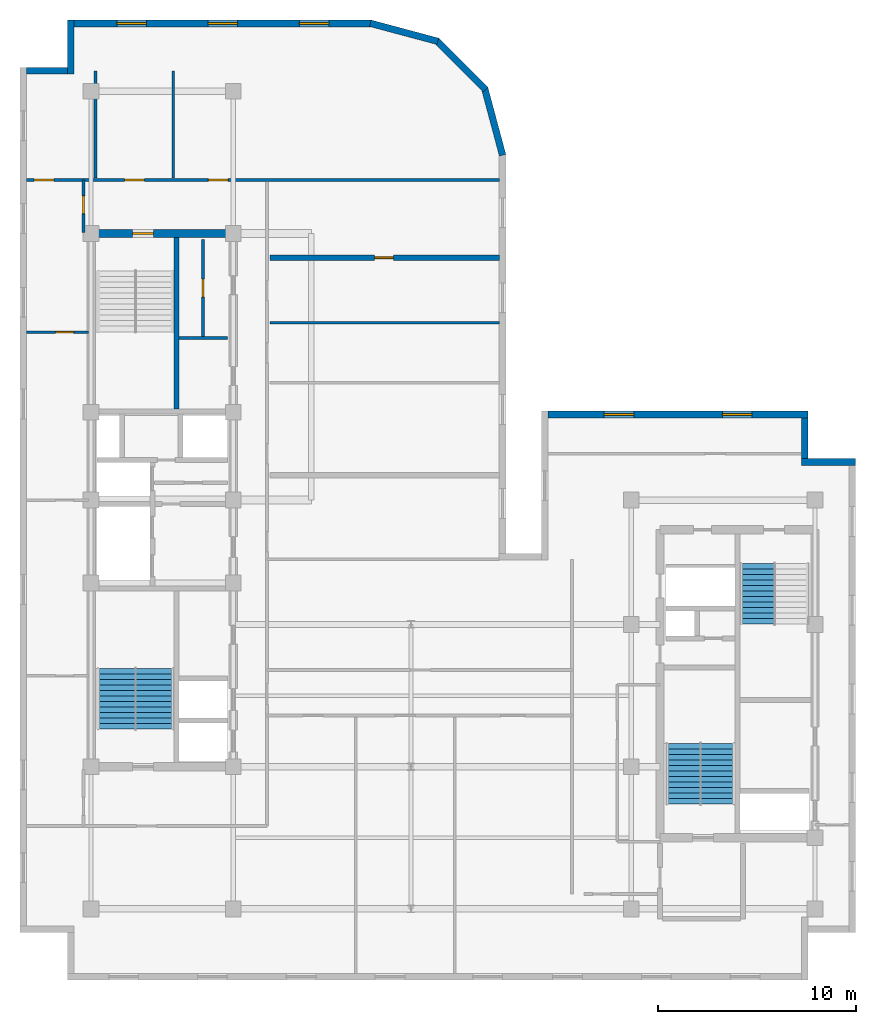
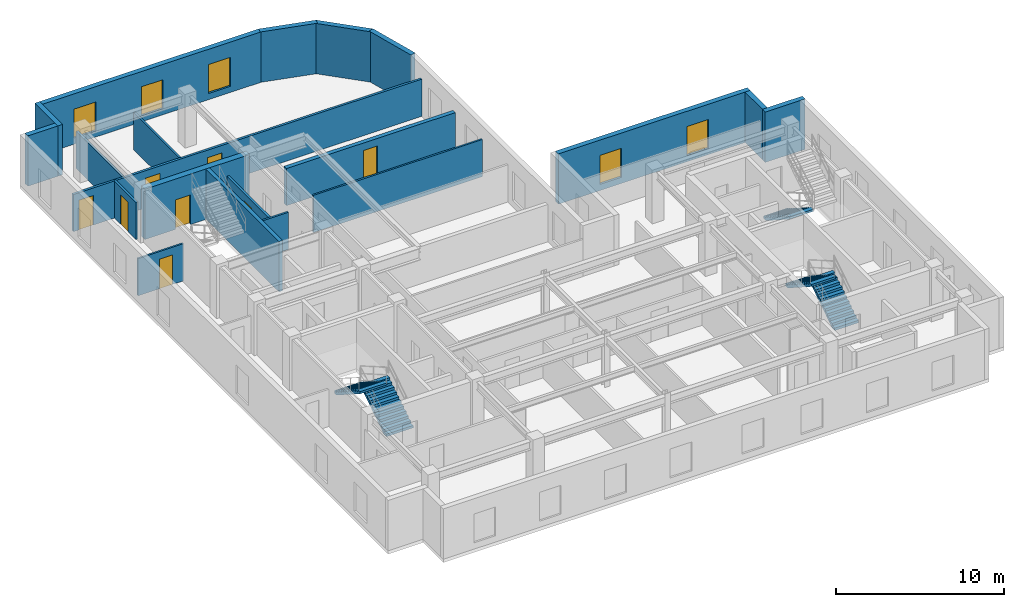
# One storey, part 6 of 10: 20 walls, 8 doors, 5 stair flights, 5 windows, 13 openings, 3 elements without a shape of their own.
"""IFC4 building model written with IfcOpenShell, lengths in metres."""

from ifc_helpers import new_model, entity, si_unit, converted_unit, direction, frame, origin_with_axes, origin_2d_with_axis, place, context, subcontext, project, spatial, polyline, rectangle, outline, extrude, material, layer, layer_set, type_object, element, fill, aggregate, save


model = new_model("IFC4")

# Units and contexts
model_context = context("Model", 3, precision=1e-05, world=origin_with_axes(), true_north=direction((0.0, 1.0)))
body_context = subcontext(model_context, "Body", "Model", "MODEL_VIEW")
ifc_project = project(units=[si_unit("LENGTHUNIT", "METRE"), si_unit("AREAUNIT", "SQUARE_METRE"), si_unit("VOLUMEUNIT", "CUBIC_METRE"), converted_unit("PLANEANGLEUNIT", "DEGREE", entity("IfcPlaneAngleMeasure", 0.017453292519943295), si_unit("PLANEANGLEUNIT", "RADIAN"), dimensions=[0, 0, 0, 0, 0, 0, 0]), si_unit("MASSUNIT", "GRAM", prefix="KILO"), si_unit("THERMODYNAMICTEMPERATUREUNIT", "KELVIN")], contexts=[model_context])

# Site, building, storey
site_placement = place(None, origin_with_axes())
site = spatial("IfcSite", under=ifc_project, at=site_placement, CompositionType="ELEMENT")
building_placement = place(site_placement, origin_with_axes())
building = spatial("IfcBuilding", under=site, at=building_placement, Name="Varnlund Millrace Tower", CompositionType="ELEMENT")
storey_placement = place(building_placement, frame((0.0, 0.0, 276.3), z_axis=(0.0, 0.0, 1.0), x_axis=(1.0, 0.0, 0.0)))
storey = spatial("IfcBuildingStorey", under=building, at=storey_placement, Name="L68", CompositionType="ELEMENT", Elevation=276.3)

# Wall, opening, door
ifc_material_1 = material(Name="Concrete C60/75", Category="concrete")
ifc_layer_1 = layer(ifc_material_1, 0.42, Name="Concrete C60/75")
ifc_layer_set_1 = layer_set([ifc_layer_1], Name="Concrete C60/75")
wall_type_1 = type_object("IfcWallType", Name="Type-CoreWall-Shear-420-C60", PredefinedType="SHEAR", material=ifc_layer_set_1)
wall_1_placement = place(storey_placement, frame((11.4, 37.8, 0.0), z_axis=(0.0, 0.0, 1.0), x_axis=(1.0, 0.0, 0.0)))
wall_1 = element("IfcWall", 1, at=wall_1_placement, inside=storey, type_object=wall_type_1, Name="Type-CoreWall-Shear-420-C60", PredefinedType="SHEAR", context=body_context, shape_type="SweptSolid", body=[
    extrude(outline(polyline([(0.0, -0.21), (7.2, -0.21), (7.2, 0.21), (0.0, 0.21), (0.0, -0.21)])), origin_with_axes(), (0.0, 0.0, 1.0), 3.66),
])
opening_1_placement = place(wall_1_placement, frame((2.625, 0.0, 0.0), z_axis=(0.0, 0.0, 1.0), x_axis=(1.0, 0.0, 0.0)))
opening_1 = element("IfcOpeningElement", 2, at=opening_1_placement, cuts=wall_1, Name="Opening L68:DR-STA2", PredefinedType="OPENING", context=body_context, shape_type="SweptSolid", body=[
    extrude(rectangle(XDim=1.05, YDim=0.44, at=origin_2d_with_axis()), origin_with_axes(), (0.0, 0.0, 1.0), 2.15),
])
ifc_material_2 = material(Name="Fire-rated hollow steel door", Category="steel")
door_type_1 = type_object("IfcDoorType", Name="Type-FireDoor-Stair-1050X2150", OperationType="NOTDEFINED", PredefinedType="DOOR", material=ifc_material_2)
door_1_placement = place(wall_1_placement, frame((2.625, 0.0, 0.0), z_axis=(0.0, 0.0, 1.0), x_axis=(1.0, 0.0, 0.0)))
door_1 = element("IfcDoor", 3, at=door_1_placement, inside=storey, type_object=door_type_1, Name="Type-FireDoor-Stair-1050X2150", OperationType="SINGLE_SWING_RIGHT", OverallHeight=2.15, OverallWidth=1.05, PredefinedType="DOOR", context=body_context, shape_type="SweptSolid", body=[
    extrude(rectangle(XDim=1.05, YDim=0.09, at=origin_2d_with_axis()), origin_with_axes(), (0.0, 0.0, 1.0), 2.15),
])
fill(opening_1, door_1)

# Wall, openings, windows
ifc_material_3 = material(Name="Precast concrete C50/60", Category="concrete")
ifc_layer_2 = layer(ifc_material_3, 0.34, Name="Precast concrete C50/60")
ifc_layer_set_2 = layer_set([ifc_layer_2], Name="Precast concrete C50/60")
wall_type_2 = type_object("IfcWallType", Name="Type-ExtWall-Precast-Upper-340", PredefinedType="SOLIDWALL", material=ifc_layer_set_2)
wall_2_placement = place(storey_placement, frame((34.54, 28.63, 0.0), z_axis=(0.0, 0.0, 1.0), x_axis=(1.0, 0.0, 0.0)))
wall_2 = element("IfcWall", 4, at=wall_2_placement, inside=storey, type_object=wall_type_2, Name="Type-ExtWall-Precast-Upper-340", PredefinedType="SOLIDWALL", context=body_context, shape_type="SweptSolid", body=[
    extrude(outline(polyline([(0.0, -0.17), (13.16, -0.17), (13.16, 0.17), (0.0, 0.17), (0.0, -0.17)])), origin_with_axes(), (0.0, 0.0, 1.0), 3.66),
])
opening_2_placement = place(wall_2_placement, frame((3.59, 0.0, 0.45), z_axis=(0.0, 0.0, 1.0), x_axis=(1.0, 0.0, 0.0)))
opening_2 = element("IfcOpeningElement", 5, at=opening_2_placement, cuts=wall_2, Name="Opening L68:WN-02", PredefinedType="OPENING", context=body_context, shape_type="SweptSolid", body=[
    extrude(rectangle(XDim=1.5, YDim=0.36, at=origin_2d_with_axis()), origin_with_axes(), (0.0, 0.0, 1.0), 2.1),
])
opening_3_placement = place(wall_2_placement, frame((9.57, 0.0, 0.45), z_axis=(0.0, 0.0, 1.0), x_axis=(1.0, 0.0, 0.0)))
opening_3 = element("IfcOpeningElement", 6, at=opening_3_placement, cuts=wall_2, Name="Opening L68:WN-03", PredefinedType="OPENING", context=body_context, shape_type="SweptSolid", body=[
    extrude(rectangle(XDim=1.5, YDim=0.36, at=origin_2d_with_axis()), origin_with_axes(), (0.0, 0.0, 1.0), 2.1),
])
ifc_material_4 = material(Name="Argon low-e triple glazing in thermally broken bronze frame", Category="glass")
window_type = type_object("IfcWindowType", Name="Type-Window-Punched-1500X2100", PartitioningType="SINGLE_PANEL", PredefinedType="WINDOW", material=ifc_material_4)
window_1_placement = place(wall_2_placement, frame((3.59, 0.0, 0.45), z_axis=(0.0, 0.0, 1.0), x_axis=(1.0, 0.0, 0.0)))
window_1 = element("IfcWindow", 7, at=window_1_placement, inside=storey, type_object=window_type, Name="Type-Window-Punched-1500X2100", OverallHeight=2.1, OverallWidth=1.5, PredefinedType="WINDOW", context=body_context, shape_type="SweptSolid", body=[
    extrude(rectangle(XDim=1.5, YDim=0.09, at=origin_2d_with_axis()), origin_with_axes(), (0.0, 0.0, 1.0), 2.1),
])
fill(opening_2, window_1)
window_2_placement = place(wall_2_placement, frame((9.57, 0.0, 0.45), z_axis=(0.0, 0.0, 1.0), x_axis=(1.0, 0.0, 0.0)))
window_2 = element("IfcWindow", 8, at=window_2_placement, inside=storey, type_object=window_type, Name="Type-Window-Punched-1500X2100", OverallHeight=2.1, OverallWidth=1.5, PredefinedType="WINDOW", context=body_context, shape_type="SweptSolid", body=[
    extrude(rectangle(XDim=1.5, YDim=0.09, at=origin_2d_with_axis()), origin_with_axes(), (0.0, 0.0, 1.0), 2.1),
])
fill(opening_3, window_2)

# Walls
wall_3_placement = place(storey_placement, frame((47.53, 28.46, 0.0), z_axis=(0.0, 0.0, 1.0), x_axis=(0.0, -1.0, 0.0)))
element("IfcWall", 9, at=wall_3_placement, inside=storey, type_object=wall_type_2, Name="Type-ExtWall-Precast-Upper-340", PredefinedType="SOLIDWALL", context=body_context, shape_type="SweptSolid", body=[
    extrude(outline(polyline([(0.0, -0.17), (2.06, -0.17), (2.06, 0.17), (0.0, 0.17), (0.0, -0.17)])), origin_with_axes(), (0.0, 0.0, 1.0), 3.66),
])
wall_4_placement = place(storey_placement, frame((47.36, 26.23, 0.0), z_axis=(0.0, 0.0, 1.0), x_axis=(1.0, 0.0, 0.0)))
element("IfcWall", 10, at=wall_4_placement, inside=storey, type_object=wall_type_2, Name="Type-ExtWall-Precast-Upper-340", PredefinedType="SOLIDWALL", context=body_context, shape_type="SweptSolid", body=[
    extrude(outline(polyline([(0.0, -0.17), (2.74, -0.17), (2.74, 0.17), (0.0, 0.17), (0.0, -0.17)])), origin_with_axes(), (0.0, 0.0, 1.0), 3.66),
])
wall_5_placement = place(storey_placement, frame((8.14, 46.03, 0.0), z_axis=(0.0, 0.0, 1.0), x_axis=(1.0, 0.0, 0.0)))
element("IfcWall", 11, at=wall_5_placement, inside=storey, type_object=wall_type_2, Name="Type-ExtWall-Precast-Upper-340", PredefinedType="SOLIDWALL", context=body_context, shape_type="SweptSolid", body=[
    extrude(outline(polyline([(0.0, -0.17), (2.06, -0.17), (2.06, 0.17), (0.0, 0.17), (0.0, -0.17)])), origin_with_axes(), (0.0, 0.0, 1.0), 3.66),
])
wall_6_placement = place(storey_placement, frame((10.37, 45.86, 0.0), z_axis=(0.0, 0.0, 1.0), x_axis=(0.0, 1.0, 0.0)))
element("IfcWall", 12, at=wall_6_placement, inside=storey, type_object=wall_type_2, Name="Type-ExtWall-Precast-Upper-340", PredefinedType="SOLIDWALL", context=body_context, shape_type="SweptSolid", body=[
    extrude(outline(polyline([(0.0, -0.17), (2.74, -0.17), (2.74, 0.17), (0.0, 0.17), (0.0, -0.17)])), origin_with_axes(), (0.0, 0.0, 1.0), 3.66),
])

# Wall, openings, windows
wall_7_placement = place(storey_placement, frame((10.54, 48.43, 0.0), z_axis=(0.0, 0.0, 1.0), x_axis=(1.0, 0.0, 0.0)))
wall_7 = element("IfcWall", 13, at=wall_7_placement, inside=storey, type_object=wall_type_2, Name="Type-ExtWall-Precast-Upper-340", PredefinedType="SOLIDWALL", context=body_context, shape_type="SweptSolid", body=[
    extrude(outline(polyline([(0.0, -0.17), (15.06, -0.17), (15.06, 0.17), (0.0, 0.17), (0.0, -0.17)])), origin_with_axes(), (0.0, 0.0, 1.0), 3.66),
])
opening_4_placement = place(wall_7_placement, frame((2.91, 0.0, 0.45), z_axis=(0.0, 0.0, 1.0), x_axis=(1.0, 0.0, 0.0)))
opening_4 = element("IfcOpeningElement", 14, at=opening_4_placement, cuts=wall_7, Name="Opening L68:WN-24", PredefinedType="OPENING", context=body_context, shape_type="SweptSolid", body=[
    extrude(rectangle(XDim=1.5, YDim=0.36, at=origin_2d_with_axis()), origin_with_axes(), (0.0, 0.0, 1.0), 2.1),
])
opening_5_placement = place(wall_7_placement, frame((7.53, 0.0, 0.45), z_axis=(0.0, 0.0, 1.0), x_axis=(1.0, 0.0, 0.0)))
opening_5 = element("IfcOpeningElement", 15, at=opening_5_placement, cuts=wall_7, Name="Opening L68:WN-25", PredefinedType="OPENING", context=body_context, shape_type="SweptSolid", body=[
    extrude(rectangle(XDim=1.5, YDim=0.36, at=origin_2d_with_axis()), origin_with_axes(), (0.0, 0.0, 1.0), 2.1),
])
opening_6_placement = place(wall_7_placement, frame((12.15, 0.0, 0.45), z_axis=(0.0, 0.0, 1.0), x_axis=(1.0, 0.0, 0.0)))
opening_6 = element("IfcOpeningElement", 16, at=opening_6_placement, cuts=wall_7, Name="Opening L68:WN-26", PredefinedType="OPENING", context=body_context, shape_type="SweptSolid", body=[
    extrude(rectangle(XDim=1.5, YDim=0.36, at=origin_2d_with_axis()), origin_with_axes(), (0.0, 0.0, 1.0), 2.1),
])
window_3_placement = place(wall_7_placement, frame((2.91, 0.0, 0.45), z_axis=(0.0, 0.0, 1.0), x_axis=(1.0, 0.0, 0.0)))
window_3 = element("IfcWindow", 17, at=window_3_placement, inside=storey, type_object=window_type, Name="Type-Window-Punched-1500X2100", OverallHeight=2.1, OverallWidth=1.5, PredefinedType="WINDOW", context=body_context, shape_type="SweptSolid", body=[
    extrude(rectangle(XDim=1.5, YDim=0.09, at=origin_2d_with_axis()), origin_with_axes(), (0.0, 0.0, 1.0), 2.1),
])
fill(opening_4, window_3)
window_4_placement = place(wall_7_placement, frame((7.53, 0.0, 0.45), z_axis=(0.0, 0.0, 1.0), x_axis=(1.0, 0.0, 0.0)))
window_4 = element("IfcWindow", 18, at=window_4_placement, inside=storey, type_object=window_type, Name="Type-Window-Punched-1500X2100", OverallHeight=2.1, OverallWidth=1.5, PredefinedType="WINDOW", context=body_context, shape_type="SweptSolid", body=[
    extrude(rectangle(XDim=1.5, YDim=0.09, at=origin_2d_with_axis()), origin_with_axes(), (0.0, 0.0, 1.0), 2.1),
])
fill(opening_5, window_4)
window_5_placement = place(wall_7_placement, frame((12.15, 0.0, 0.45), z_axis=(0.0, 0.0, 1.0), x_axis=(1.0, 0.0, 0.0)))
window_5 = element("IfcWindow", 19, at=window_5_placement, inside=storey, type_object=window_type, Name="Type-Window-Punched-1500X2100", OverallHeight=2.1, OverallWidth=1.5, PredefinedType="WINDOW", context=body_context, shape_type="SweptSolid", body=[
    extrude(rectangle(XDim=1.5, YDim=0.09, at=origin_2d_with_axis()), origin_with_axes(), (0.0, 0.0, 1.0), 2.1),
])
fill(opening_6, window_5)

# Walls
wall_8_placement = place(storey_placement, frame((25.537, 48.441, 0.0), z_axis=(0.0, 0.0, 1.0), x_axis=(0.965934, -0.258788, 0.0)))
element("IfcWall", 20, at=wall_8_placement, inside=storey, type_object=wall_type_2, Name="Type-ExtWall-Precast-Upper-340", PredefinedType="SOLIDWALL", context=body_context, shape_type="SweptSolid", body=[
    extrude(outline(polyline([(0.0, -0.17), (3.539579, -0.17), (3.539579, 0.17), (0.0, 0.17), (0.0, -0.17)])), origin_with_axes(), (0.0, 0.0, 1.0), 3.66),
])
wall_9_placement = place(storey_placement, frame((28.866, 47.583, 0.0), z_axis=(0.0, 0.0, 1.0), x_axis=(0.707107, -0.707107, 0.0)))
element("IfcWall", 21, at=wall_9_placement, inside=storey, type_object=wall_type_2, Name="Type-ExtWall-Precast-Upper-340", PredefinedType="SOLIDWALL", context=body_context, shape_type="SweptSolid", body=[
    extrude(outline(polyline([(0.0, -0.17), (3.539777, -0.17), (3.539777, 0.17), (0.0, 0.17), (0.0, -0.17)])), origin_with_axes(), (0.0, 0.0, 1.0), 3.66),
])
wall_10_placement = place(storey_placement, frame((31.32, 45.175, 0.0), z_axis=(0.0, 0.0, 1.0), x_axis=(0.258788, -0.965934, 0.0)))
element("IfcWall", 22, at=wall_10_placement, inside=storey, type_object=wall_type_2, Name="Type-ExtWall-Precast-Upper-340", PredefinedType="SOLIDWALL", context=body_context, shape_type="SweptSolid", body=[
    extrude(outline(polyline([(0.0, -0.17), (3.539579, -0.17), (3.539579, 0.17), (0.0, 0.17), (0.0, -0.17)])), origin_with_axes(), (0.0, 0.0, 1.0), 3.66),
])

# Wall, opening, door
ifc_material_5 = material(Name="Double-stud STC-60 conference acoustic partition", Category="gypsum")
ifc_layer_3 = layer(ifc_material_5, 0.28, Name="Double-stud STC-60 conference acoustic partition")
ifc_layer_set_3 = layer_set([ifc_layer_3], Name="Double-stud STC-60 conference acoustic partition")
wall_type_3 = type_object("IfcWallType", Name="Type-Partition-Acoustic-280", PredefinedType="PARTITIONING", material=ifc_layer_set_3)
wall_11_placement = place(storey_placement, frame((20.45, 36.564, 0.0), z_axis=(0.0, 0.0, 1.0), x_axis=(1.0, 0.0, 0.0)))
wall_11 = element("IfcWall", 23, at=wall_11_placement, inside=storey, type_object=wall_type_3, Name="Type-Partition-Acoustic-280", PredefinedType="PARTITIONING", context=body_context, shape_type="SweptSolid", body=[
    extrude(outline(polyline([(0.0, -0.14), (11.615, -0.14), (11.615, 0.14), (0.0, 0.14), (0.0, -0.14)])), origin_with_axes(), (0.0, 0.0, 1.0), 2.7),
])
opening_7_placement = place(wall_11_placement, frame((5.785, 0.0, 0.0), z_axis=(0.0, 0.0, 1.0), x_axis=(1.0, 0.0, 0.0)))
opening_7 = element("IfcOpeningElement", 24, at=opening_7_placement, cuts=wall_11, Name="Opening L68:DR-FLR-05", PredefinedType="OPENING", context=body_context, shape_type="SweptSolid", body=[
    extrude(rectangle(XDim=0.95, YDim=0.3, at=origin_2d_with_axis()), origin_with_axes(), (0.0, 0.0, 1.0), 2.15),
])
ifc_material_6 = material(Name="Solid-core acoustic office door")
door_type_2 = type_object("IfcDoorType", Name="Type-IntDoor-Tenant-950X2150", OperationType="NOTDEFINED", PredefinedType="DOOR", material=ifc_material_6)
door_2_placement = place(wall_11_placement, frame((5.785, 0.0, 0.0), z_axis=(0.0, 0.0, 1.0), x_axis=(1.0, 0.0, 0.0)))
door_2 = element("IfcDoor", 25, at=door_2_placement, inside=storey, type_object=door_type_2, Name="Type-IntDoor-Tenant-950X2150", OperationType="SINGLE_SWING_LEFT", OverallHeight=2.15, OverallWidth=0.95, PredefinedType="DOOR", context=body_context, shape_type="SweptSolid", body=[
    extrude(rectangle(XDim=0.95, YDim=0.09, at=origin_2d_with_axis()), origin_with_axes(), (0.0, 0.0, 1.0), 2.15),
])
fill(opening_7, door_2)

ifc_material_7 = material(Name="Fire-rated gypsum board on cold-formed steel framing", Category="steel")
ifc_layer_4 = layer(ifc_material_7, 0.16, Name="Fire-rated gypsum board on cold-formed steel framing")
ifc_layer_set_4 = layer_set([ifc_layer_4], Name="Fire-rated gypsum board on cold-formed steel framing")
wall_type_4 = type_object("IfcWallType", Name="Type-Partition-Corridor-160", PredefinedType="PARTITIONING", material=ifc_layer_set_4)
wall_12_placement = place(storey_placement, frame((17.07, 32.58, 0.0), z_axis=(0.0, 0.0, 1.0), x_axis=(0.0, 1.0, 0.0)))
wall_12 = element("IfcWall", 26, at=wall_12_placement, inside=storey, type_object=wall_type_4, Name="Type-Partition-Corridor-160", PredefinedType="PARTITIONING", context=body_context, shape_type="SweptSolid", body=[
    extrude(outline(polyline([(0.0, -0.08), (4.92, -0.08), (4.92, 0.08), (0.0, 0.08), (0.0, -0.08)])), origin_with_axes(), (0.0, 0.0, 1.0), 2.7),
])
opening_8_placement = place(wall_12_placement, frame((2.45, 0.0, 0.0), z_axis=(0.0, 0.0, 1.0), x_axis=(1.0, 0.0, 0.0)))
opening_8 = element("IfcOpeningElement", 27, at=opening_8_placement, cuts=wall_12, Name="Opening L68:DR-RECL-M2", PredefinedType="OPENING", context=body_context, shape_type="SweptSolid", body=[
    extrude(rectangle(XDim=0.9, YDim=0.18, at=origin_2d_with_axis()), origin_with_axes(), (0.0, 0.0, 1.0), 2.15),
])
ifc_material_8 = material(Name="Painted steel riser and closet door", Category="steel")
door_type_3 = type_object("IfcDoorType", Name="Type-IntDoor-Closet-900X2150", OperationType="NOTDEFINED", PredefinedType="DOOR", material=ifc_material_8)
door_3_placement = place(wall_12_placement, frame((2.45, 0.0, 0.0), z_axis=(0.0, 0.0, 1.0), x_axis=(1.0, 0.0, 0.0)))
door_3 = element("IfcDoor", 28, at=door_3_placement, inside=storey, type_object=door_type_3, Name="Type-IntDoor-Closet-900X2150", OperationType="SINGLE_SWING_LEFT", OverallHeight=2.15, OverallWidth=0.9, PredefinedType="DOOR", context=body_context, shape_type="SweptSolid", body=[
    extrude(rectangle(XDim=0.9, YDim=0.09, at=origin_2d_with_axis()), origin_with_axes(), (0.0, 0.0, 1.0), 2.15),
])
fill(opening_8, door_3)

# Wall, openings, doors
wall_13_placement = place(storey_placement, frame((8.135, 40.5, 0.0), z_axis=(0.0, 0.0, 1.0), x_axis=(1.0, 0.0, 0.0)))
wall_13 = element("IfcWall", 29, at=wall_13_placement, inside=storey, type_object=wall_type_4, Name="Type-Partition-Corridor-160", PredefinedType="PARTITIONING", context=body_context, shape_type="SweptSolid", body=[
    extrude(outline(polyline([(0.0, -0.08), (23.93, -0.08), (23.93, 0.08), (0.0, 0.08), (0.0, -0.08)])), origin_with_axes(), (0.0, 0.0, 1.0), 2.7),
])
opening_9_placement = place(wall_13_placement, frame((0.876, 0.0, 0.0), z_axis=(0.0, 0.0, 1.0), x_axis=(1.0, 0.0, 0.0)))
opening_9 = element("IfcOpeningElement", 30, at=opening_9_placement, cuts=wall_13, Name="Opening L68:DR-WAN-01", PredefinedType="OPENING", context=body_context, shape_type="SweptSolid", body=[
    extrude(rectangle(XDim=1.0, YDim=0.18, at=origin_2d_with_axis()), origin_with_axes(), (0.0, 0.0, 1.0), 2.15),
])
opening_10_placement = place(wall_13_placement, frame((5.4565, 0.0, 0.0), z_axis=(0.0, 0.0, 1.0), x_axis=(1.0, 0.0, 0.0)))
opening_10 = element("IfcOpeningElement", 31, at=opening_10_placement, cuts=wall_13, Name="Opening L68:DR-WAN-02", PredefinedType="OPENING", context=body_context, shape_type="SweptSolid", body=[
    extrude(rectangle(XDim=1.0, YDim=0.18, at=origin_2d_with_axis()), origin_with_axes(), (0.0, 0.0, 1.0), 2.15),
])
opening_11_placement = place(wall_13_placement, frame((9.7, 0.0, 0.0), z_axis=(0.0, 0.0, 1.0), x_axis=(1.0, 0.0, 0.0)))
opening_11 = element("IfcOpeningElement", 32, at=opening_11_placement, cuts=wall_13, Name="Opening L68:DR-WAN-03", PredefinedType="OPENING", context=body_context, shape_type="SweptSolid", body=[
    extrude(rectangle(XDim=1.0, YDim=0.18, at=origin_2d_with_axis()), origin_with_axes(), (0.0, 0.0, 1.0), 2.15),
])
ifc_material_9 = material(Name="Solid-core white oak and bronze frame door")
door_type_4 = type_object("IfcDoorType", Name="Type-IntDoor-Office-1000X2150", OperationType="NOTDEFINED", PredefinedType="DOOR", material=ifc_material_9)
door_4_placement = place(wall_13_placement, frame((0.876, 0.0, 0.0), z_axis=(0.0, 0.0, 1.0), x_axis=(1.0, 0.0, 0.0)))
door_4 = element("IfcDoor", 33, at=door_4_placement, inside=storey, type_object=door_type_4, Name="Type-IntDoor-Office-1000X2150", OperationType="SINGLE_SWING_LEFT", OverallHeight=2.15, OverallWidth=1.0, PredefinedType="DOOR", context=body_context, shape_type="SweptSolid", body=[
    extrude(rectangle(XDim=1.0, YDim=0.09, at=origin_2d_with_axis()), origin_with_axes(), (0.0, 0.0, 1.0), 2.15),
])
fill(opening_9, door_4)
door_5_placement = place(wall_13_placement, frame((5.4565, 0.0, 0.0), z_axis=(0.0, 0.0, 1.0), x_axis=(1.0, 0.0, 0.0)))
door_5 = element("IfcDoor", 34, at=door_5_placement, inside=storey, type_object=door_type_4, Name="Type-IntDoor-Office-1000X2150", OperationType="SINGLE_SWING_RIGHT", OverallHeight=2.15, OverallWidth=1.0, PredefinedType="DOOR", context=body_context, shape_type="SweptSolid", body=[
    extrude(rectangle(XDim=1.0, YDim=0.09, at=origin_2d_with_axis()), origin_with_axes(), (0.0, 0.0, 1.0), 2.15),
])
fill(opening_10, door_5)
door_6_placement = place(wall_13_placement, frame((9.7, 0.0, 0.0), z_axis=(0.0, 0.0, 1.0), x_axis=(1.0, 0.0, 0.0)))
door_6 = element("IfcDoor", 35, at=door_6_placement, inside=storey, type_object=door_type_4, Name="Type-IntDoor-Office-1000X2150", OperationType="SINGLE_SWING_LEFT", OverallHeight=2.15, OverallWidth=1.0, PredefinedType="DOOR", context=body_context, shape_type="SweptSolid", body=[
    extrude(rectangle(XDim=1.0, YDim=0.09, at=origin_2d_with_axis()), origin_with_axes(), (0.0, 0.0, 1.0), 2.15),
])
fill(opening_11, door_6)

# Wall, opening, door
wall_14_placement = place(storey_placement, frame((11.02, 37.85, 0.0), z_axis=(0.0, 0.0, 1.0), x_axis=(0.0, 1.0, 0.0)))
wall_14 = element("IfcWall", 36, at=wall_14_placement, inside=storey, type_object=wall_type_4, Name="Type-Partition-Corridor-160", PredefinedType="PARTITIONING", context=body_context, shape_type="SweptSolid", body=[
    extrude(outline(polyline([(0.0, -0.08), (2.65, -0.08), (2.65, 0.08), (0.0, 0.08), (0.0, -0.08)])), origin_with_axes(), (0.0, 0.0, 1.0), 2.7),
])
opening_12_placement = place(wall_14_placement, frame((1.4, 0.0, 0.0), z_axis=(0.0, 0.0, 1.0), x_axis=(1.0, 0.0, 0.0)))
opening_12 = element("IfcOpeningElement", 37, at=opening_12_placement, cuts=wall_14, Name="Opening L68:DR-WU-N1", PredefinedType="OPENING", context=body_context, shape_type="SweptSolid", body=[
    extrude(rectangle(XDim=0.9, YDim=0.18, at=origin_2d_with_axis()), origin_with_axes(), (0.0, 0.0, 1.0), 2.15),
])
door_7_placement = place(wall_14_placement, frame((1.4, 0.0, 0.0), z_axis=(0.0, 0.0, 1.0), x_axis=(1.0, 0.0, 0.0)))
door_7 = element("IfcDoor", 38, at=door_7_placement, inside=storey, type_object=door_type_3, Name="Type-IntDoor-Closet-900X2150", OperationType="SINGLE_SWING_RIGHT", OverallHeight=2.15, OverallWidth=0.9, PredefinedType="DOOR", context=body_context, shape_type="SweptSolid", body=[
    extrude(rectangle(XDim=0.9, YDim=0.09, at=origin_2d_with_axis()), origin_with_axes(), (0.0, 0.0, 1.0), 2.15),
])
fill(opening_12, door_7)

# Wall
ifc_material_10 = material(Name="Acoustic STC-50 gypsum board partition", Category="gypsum")
ifc_layer_5 = layer(ifc_material_10, 0.15, Name="Acoustic STC-50 gypsum board partition")
ifc_layer_set_5 = layer_set([ifc_layer_5], Name="Acoustic STC-50 gypsum board partition")
wall_type_5 = type_object("IfcWallType", Name="Type-Partition-Demising-150", PredefinedType="PARTITIONING", material=ifc_layer_set_5)
wall_15_placement = place(storey_placement, frame((11.633, 40.6, 0.0), z_axis=(0.0, 0.0, 1.0), x_axis=(0.0, 1.0, 0.0)))
element("IfcWall", 39, at=wall_15_placement, inside=storey, type_object=wall_type_5, Name="Type-Partition-Demising-150", PredefinedType="PARTITIONING", context=body_context, shape_type="SweptSolid", body=[
    extrude(outline(polyline([(0.0, -0.075), (5.42, -0.075), (5.42, 0.075), (0.0, 0.075), (0.0, -0.075)])), origin_with_axes(), (0.0, 0.0, 1.0), 2.7),
])

# Wall, opening, door
ifc_material_11 = material(Name="Gypsum board tenant partition", Category="gypsum")
ifc_layer_6 = layer(ifc_material_11, 0.125, Name="Gypsum board tenant partition")
ifc_layer_set_6 = layer_set([ifc_layer_6], Name="Gypsum board tenant partition")
wall_type_6 = type_object("IfcWallType", Name="Type-Partition-Tenant-125", PredefinedType="PARTITIONING", material=ifc_layer_set_6)
wall_16_placement = place(storey_placement, frame((8.135, 32.8, 0.0), z_axis=(0.0, 0.0, 1.0), x_axis=(1.0, 0.0, 0.0)))
wall_16 = element("IfcWall", 40, at=wall_16_placement, inside=storey, type_object=wall_type_6, Name="Type-Partition-Tenant-125", PredefinedType="PARTITIONING", context=body_context, shape_type="SweptSolid", body=[
    extrude(outline(polyline([(0.0, -0.0625), (3.135, -0.0625), (3.135, 0.0625), (0.0, 0.0625), (0.0, -0.0625)])), origin_with_axes(), (0.0, 0.0, 1.0), 2.7),
])
opening_13_placement = place(wall_16_placement, frame((1.925, 0.0, 0.0), z_axis=(0.0, 0.0, 1.0), x_axis=(1.0, 0.0, 0.0)))
opening_13 = element("IfcOpeningElement", 41, at=opening_13_placement, cuts=wall_16, Name="Opening L68:DR-WUI-3", PredefinedType="OPENING", context=body_context, shape_type="SweptSolid", body=[
    extrude(rectangle(XDim=0.9, YDim=0.145, at=origin_2d_with_axis()), origin_with_axes(), (0.0, 0.0, 1.0), 2.15),
])
door_8_placement = place(wall_16_placement, frame((1.925, 0.0, 0.0), z_axis=(0.0, 0.0, 1.0), x_axis=(1.0, 0.0, 0.0)))
door_8 = element("IfcDoor", 42, at=door_8_placement, inside=storey, type_object=door_type_3, Name="Type-IntDoor-Closet-900X2150", OperationType="SINGLE_SWING_LEFT", OverallHeight=2.15, OverallWidth=0.9, PredefinedType="DOOR", context=body_context, shape_type="SweptSolid", body=[
    extrude(rectangle(XDim=0.9, YDim=0.075, at=origin_2d_with_axis()), origin_with_axes(), (0.0, 0.0, 1.0), 2.15),
])
fill(opening_13, door_8)

# Walls
wall_17_placement = place(storey_placement, frame((15.55, 40.6, 0.0), z_axis=(0.0, 0.0, 1.0), x_axis=(0.0, 1.0, 0.0)))
element("IfcWall", 43, at=wall_17_placement, inside=storey, type_object=wall_type_6, Name="Type-Partition-Tenant-125", PredefinedType="PARTITIONING", context=body_context, shape_type="SweptSolid", body=[
    extrude(outline(polyline([(0.0, -0.0625), (5.42, -0.0625), (5.42, 0.0625), (0.0, 0.0625), (0.0, -0.0625)])), origin_with_axes(), (0.0, 0.0, 1.0), 2.7),
])
wall_18_placement = place(storey_placement, frame((20.45, 33.265, 0.0), z_axis=(0.0, 0.0, 1.0), x_axis=(1.0, 0.0, 0.0)))
element("IfcWall", 44, at=wall_18_placement, inside=storey, type_object=wall_type_6, Name="Type-Partition-Tenant-125", PredefinedType="PARTITIONING", context=body_context, shape_type="SweptSolid", body=[
    extrude(outline(polyline([(0.0, -0.0625), (11.615, -0.0625), (11.615, 0.0625), (0.0, 0.0625), (0.0, -0.0625)])), origin_with_axes(), (0.0, 0.0, 1.0), 2.7),
])
ifc_material_12 = material(Name="Moisture-resistant gypsum restroom partition", Category="gypsum")
ifc_layer_7 = layer(ifc_material_12, 0.14, Name="Moisture-resistant gypsum restroom partition")
ifc_layer_set_7 = layer_set([ifc_layer_7], Name="Moisture-resistant gypsum restroom partition")
wall_type_7 = type_object("IfcWallType", Name="Type-Partition-Wet-140", PredefinedType="PARTITIONING", material=ifc_layer_set_7)
wall_19_placement = place(storey_placement, frame((15.84, 32.5, 0.0), z_axis=(0.0, 0.0, 1.0), x_axis=(1.0, 0.0, 0.0)))
element("IfcWall", 45, at=wall_19_placement, inside=storey, type_object=wall_type_7, Name="Type-Partition-Wet-140", PredefinedType="PARTITIONING", context=body_context, shape_type="SweptSolid", body=[
    extrude(outline(polyline([(0.0, -0.07), (2.46, -0.07), (2.46, 0.07), (0.0, 0.07), (0.0, -0.07)])), origin_with_axes(), (0.0, 0.0, 1.0), 2.7),
])
ifc_layer_8 = layer(ifc_material_1, 0.25, Name="Concrete C60/75")
ifc_layer_set_8 = layer_set([ifc_layer_8], Name="Concrete C60/75")
wall_type_8 = type_object("IfcWallType", Name="Type-StairWall-Shear-250", PredefinedType="SHEAR", material=ifc_layer_set_8)
wall_20_placement = place(storey_placement, frame((15.725, 28.9, 0.0), z_axis=(0.0, 0.0, 1.0), x_axis=(0.0, 1.0, 0.0)))
element("IfcWall", 46, at=wall_20_placement, inside=storey, type_object=wall_type_8, Name="Type-StairWall-Shear-250", PredefinedType="SHEAR", context=body_context, shape_type="SweptSolid", body=[
    extrude(outline(polyline([(0.0, -0.125), (8.69, -0.125), (8.69, 0.125), (0.0, 0.125), (0.0, -0.125)])), origin_with_axes(), (0.0, 0.0, 1.0), 3.66),
])

# Stair, stair flights
ifc_material_13 = material(Name="Concrete C50/60", Category="concrete")
stair_type_1 = type_object("IfcStairType", Name="Type-Stair-Dogleg-165-390", PredefinedType="HALF_TURN_STAIR", material=ifc_material_13)
stair_1_placement = place(storey_placement, origin_with_axes())
stair_1 = element("IfcStair", 47, at=stair_1_placement, inside=storey, type_object=stair_type_1, Name="Type-Stair-Dogleg-165-390", PredefinedType="HALF_TURN_STAIR")
stair_flight_type_1 = type_object("IfcStairFlightType", Name="Type-Dogleg-Run-165-390", PredefinedType="STRAIGHT", material=ifc_material_3)
stair_flight_1_placement = place(storey_placement, frame((42.225, 8.9, 0.0), z_axis=(1.0, 0.0, 0.0), x_axis=(0.0, 1.0, 0.0)))
stair_flight_1 = element("IfcStairFlight", 48, at=stair_flight_1_placement, type_object=stair_flight_type_1, Name="ST-B1 flight 1", NumberOfRisers=11, NumberOfTreads=11, PredefinedType="STRAIGHT", RiserHeight=0.177273, TreadLength=0.28, context=body_context, shape_type="SweptSolid", body=[
    extrude(outline(polyline([(0.0, 0.0), (0.0, 0.177273), (0.28, 0.177273), (0.28, 0.354545), (0.56, 0.354545), (0.56, 0.531818), (0.84, 0.531818), (0.84, 0.709091), (1.12, 0.709091), (1.12, 0.886364), (1.4, 0.886364), (1.4, 1.063636), (1.68, 1.063636), (1.68, 1.240909), (1.96, 1.240909), (1.96, 1.418182), (2.24, 1.418182), (2.24, 1.595454), (2.52, 1.595454), (2.52, 1.772727), (2.8, 1.772727), (2.8, 1.95), (3.08, 1.95), (3.08, 1.8), (0.28, 0.0), (0.0, 0.0)])), origin_with_axes(), (0.0, 0.0, 1.0), 1.65),
])
stair_flight_2_placement = place(storey_placement, frame((42.275, 11.98, 1.95), z_axis=(-1.0, 0.0, 0.0), x_axis=(0.0, -1.0, 0.0)))
stair_flight_2 = element("IfcStairFlight", 49, at=stair_flight_2_placement, type_object=stair_flight_type_1, Name="ST-B1 flight 2", NumberOfRisers=11, NumberOfTreads=11, PredefinedType="STRAIGHT", RiserHeight=0.177273, TreadLength=0.28, context=body_context, shape_type="SweptSolid", body=[
    extrude(outline(polyline([(0.0, 0.0), (0.0, 0.177273), (0.28, 0.177273), (0.28, 0.354545), (0.56, 0.354545), (0.56, 0.531818), (0.84, 0.531818), (0.84, 0.709091), (1.12, 0.709091), (1.12, 0.886364), (1.4, 0.886364), (1.4, 1.063636), (1.68, 1.063636), (1.68, 1.240909), (1.96, 1.240909), (1.96, 1.418182), (2.24, 1.418182), (2.24, 1.595454), (2.52, 1.595454), (2.52, 1.772727), (2.8, 1.772727), (2.8, 1.95), (3.08, 1.95), (3.08, 1.8), (0.28, 0.0), (0.0, 0.0)])), origin_with_axes(), (0.0, 0.0, 1.0), 1.65),
])
aggregate(stair_1, [stair_flight_1, stair_flight_2])

# Stair, stair flight
stair_2_placement = place(storey_placement, origin_with_axes())
stair_2 = element("IfcStair", 50, at=stair_2_placement, inside=storey, type_object=stair_type_1, Name="Type-Stair-Dogleg-165-390", PredefinedType="HALF_TURN_STAIR")
stair_flight_3_placement = place(storey_placement, frame((46.025, 21.1, 0.0), z_axis=(-1.0, 0.0, 0.0), x_axis=(0.0, -1.0, 0.0)))
stair_flight_3 = element("IfcStairFlight", 51, at=stair_flight_3_placement, type_object=stair_flight_type_1, Name="ST-B2 flight 1", NumberOfRisers=11, NumberOfTreads=11, PredefinedType="STRAIGHT", RiserHeight=0.177273, TreadLength=0.28, context=body_context, shape_type="SweptSolid", body=[
    extrude(outline(polyline([(0.0, 0.0), (0.0, 0.177273), (0.28, 0.177273), (0.28, 0.354545), (0.56, 0.354545), (0.56, 0.531818), (0.84, 0.531818), (0.84, 0.709091), (1.12, 0.709091), (1.12, 0.886364), (1.4, 0.886364), (1.4, 1.063636), (1.68, 1.063636), (1.68, 1.240909), (1.96, 1.240909), (1.96, 1.418182), (2.24, 1.418182), (2.24, 1.595454), (2.52, 1.595454), (2.52, 1.772727), (2.8, 1.772727), (2.8, 1.95), (3.08, 1.95), (3.08, 1.8), (0.28, 0.0), (0.0, 0.0)])), origin_with_axes(), (0.0, 0.0, 1.0), 1.65),
])
aggregate(stair_2, [stair_flight_3])

# Stair, stair flights
stair_type_2 = type_object("IfcStairType", Name="Type-Stair-Dogleg-185-390", PredefinedType="HALF_TURN_STAIR", material=ifc_material_13)
stair_3_placement = place(storey_placement, origin_with_axes())
stair_3 = element("IfcStair", 52, at=stair_3_placement, inside=storey, type_object=stair_type_2, Name="Type-Stair-Dogleg-185-390", PredefinedType="HALF_TURN_STAIR")
stair_flight_type_2 = type_object("IfcStairFlightType", Name="Type-Dogleg-Run-185-390", PredefinedType="STRAIGHT", material=ifc_material_3)
stair_flight_4_placement = place(storey_placement, frame((13.625, 12.7, 0.0), z_axis=(1.0, 0.0, 0.0), x_axis=(0.0, 1.0, 0.0)))
stair_flight_4 = element("IfcStairFlight", 53, at=stair_flight_4_placement, type_object=stair_flight_type_2, Name="ST-A1 flight 1", NumberOfRisers=11, NumberOfTreads=11, PredefinedType="STRAIGHT", RiserHeight=0.177273, TreadLength=0.28, context=body_context, shape_type="SweptSolid", body=[
    extrude(outline(polyline([(0.0, 0.0), (0.0, 0.177273), (0.28, 0.177273), (0.28, 0.354545), (0.56, 0.354545), (0.56, 0.531818), (0.84, 0.531818), (0.84, 0.709091), (1.12, 0.709091), (1.12, 0.886364), (1.4, 0.886364), (1.4, 1.063636), (1.68, 1.063636), (1.68, 1.240909), (1.96, 1.240909), (1.96, 1.418182), (2.24, 1.418182), (2.24, 1.595454), (2.52, 1.595454), (2.52, 1.772727), (2.8, 1.772727), (2.8, 1.95), (3.08, 1.95), (3.08, 1.8), (0.28, 0.0), (0.0, 0.0)])), origin_with_axes(), (0.0, 0.0, 1.0), 1.85),
])
stair_flight_5_placement = place(storey_placement, frame((13.675, 15.78, 1.95), z_axis=(-1.0, 0.0, 0.0), x_axis=(0.0, -1.0, 0.0)))
stair_flight_5 = element("IfcStairFlight", 54, at=stair_flight_5_placement, type_object=stair_flight_type_2, Name="ST-A1 flight 2", NumberOfRisers=11, NumberOfTreads=11, PredefinedType="STRAIGHT", RiserHeight=0.177273, TreadLength=0.28, context=body_context, shape_type="SweptSolid", body=[
    extrude(outline(polyline([(0.0, 0.0), (0.0, 0.177273), (0.28, 0.177273), (0.28, 0.354545), (0.56, 0.354545), (0.56, 0.531818), (0.84, 0.531818), (0.84, 0.709091), (1.12, 0.709091), (1.12, 0.886364), (1.4, 0.886364), (1.4, 1.063636), (1.68, 1.063636), (1.68, 1.240909), (1.96, 1.240909), (1.96, 1.418182), (2.24, 1.418182), (2.24, 1.595454), (2.52, 1.595454), (2.52, 1.772727), (2.8, 1.772727), (2.8, 1.95), (3.08, 1.95), (3.08, 1.8), (0.28, 0.0), (0.0, 0.0)])), origin_with_axes(), (0.0, 0.0, 1.0), 1.85),
])
aggregate(stair_3, [stair_flight_4, stair_flight_5])

save(model, "model.ifc")
